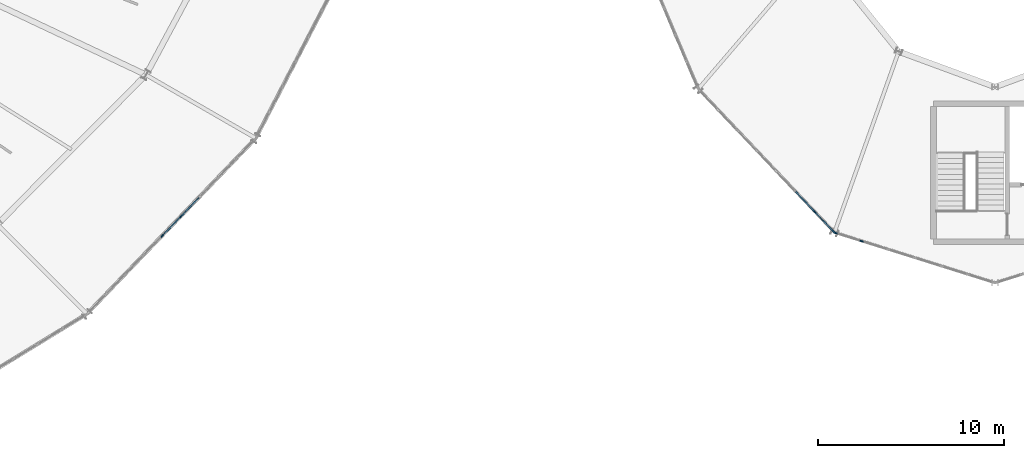
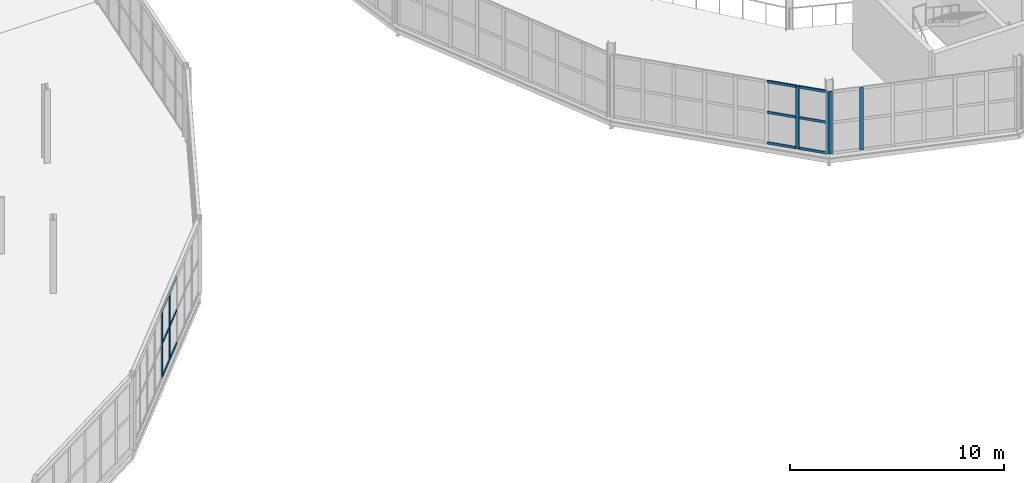
# One storey, part 74 of 161: 18 members, 3 elements without a shape of their own.
"""IFC4 building model written with IfcOpenShell, lengths in metres."""

import ifcopenshell
import ifcopenshell.guid

model = None  # the IFC model being written
_history = None  # IfcOwnerHistory: only IFC2X3 demands one
_inside = {}  # id of a spatial element -> (the spatial element, [elements in it])
_under = {}  # id of a project, library or spatial element -> (it, [spatial elements below it])
_declared = {}  # id of a project -> (the project, [libraries it declares])
_typed = {}  # id of a type object -> (the type object, [elements of that type])
_made_of = {}  # id of a material, layer set ... -> (it, [elements and type objects made of it])


def new_model(schema):
    """Start an empty IFC model of exactly this schema.

    Asked for "IFC4X3", IfcOpenShell would pick the latest addendum, in which some entities
    have other attributes; the version numbers below select the first issue.
    IFC2X3 requires an IfcOwnerHistory on every rooted entity: one is made here for all.
    """
    global model, _history
    if schema == "IFC4X3":
        model = ifcopenshell.file(schema_version=(4, 3, 0, 0))
    else:
        model = ifcopenshell.file(schema=schema)
    _inside.clear()
    _under.clear()
    _declared.clear()
    _typed.clear()
    _made_of.clear()
    _history = None
    if model.schema == "IFC2X3":
        org = make("IfcOrganization", Name="unknown")
        user = make(
            "IfcPersonAndOrganization",
            ThePerson=make("IfcPerson", FamilyName="unknown"),
            TheOrganization=org,
        )
        app = make(
            "IfcApplication",
            ApplicationDeveloper=org,
            Version="unknown",
            ApplicationFullName="unknown",
            ApplicationIdentifier="unknown",
        )
        _history = make(
            "IfcOwnerHistory",
            OwningUser=user,
            OwningApplication=app,
            ChangeAction="ADDED",
            CreationDate=0,
        )
    return model


def make(cls, **values):
    """One entity of the class cls with the attributes given. An attribute that is None is left unset."""
    return model.create_entity(
        cls, **{name: value for name, value in values.items() if value is not None}
    )


def rooted(cls, **values):
    """An entity with a GlobalId (a new one), such as an element, a storey or a relation."""
    return make(cls, GlobalId=ifcopenshell.guid.new(), OwnerHistory=_history, **values)


def si_unit(unit_type, name, prefix=None):
    """IfcSIUnit, for example si_unit("LENGTHUNIT", "METRE", prefix="MILLI")."""
    return make("IfcSIUnit", UnitType=unit_type, Prefix=prefix, Name=name)


def assignment(units):
    """IfcUnitAssignment: the units of a project."""
    return None if units is None else make("IfcUnitAssignment", Units=units)


def point(xyz):
    """IfcCartesianPoint."""
    return None if xyz is None else make("IfcCartesianPoint", Coordinates=xyz)


def direction(xyz):
    """IfcDirection."""
    return None if xyz is None else make("IfcDirection", DirectionRatios=xyz)


def frame(location, z_axis=None, x_axis=None):
    """IfcAxis2Placement3D, a coordinate frame: its origin and axes. An axis left out is left unset."""
    return make(
        "IfcAxis2Placement3D",
        Location=point(location),
        Axis=direction(z_axis),
        RefDirection=direction(x_axis),
    )


def frame_2d(location, x_axis=None):
    """IfcAxis2Placement2D, a coordinate frame in the plane: its origin and x axis."""
    return make(
        "IfcAxis2Placement2D", Location=point(location), RefDirection=direction(x_axis)
    )


def origin():
    """The frame at (0, 0, 0) with its axes left unset."""
    return frame((0.0, 0.0, 0.0))


def origin_2d():
    """The frame at (0, 0) in the plane with its x axis left unset."""
    return frame_2d((0.0, 0.0))


def place(relative_to, where):
    """IfcLocalPlacement: puts the frame where relative to a parent placement (None: the world)."""
    return make(
        "IfcLocalPlacement", PlacementRelTo=relative_to, RelativePlacement=where
    )


def context(
    kind, dimensions, precision=None, world=None, true_north=None, identifier=None
):
    """IfcGeometricRepresentationContext, for example the 3D "Model" context."""
    return make(
        "IfcGeometricRepresentationContext",
        ContextIdentifier=identifier,
        ContextType=kind,
        CoordinateSpaceDimension=dimensions,
        Precision=precision,
        WorldCoordinateSystem=world,
        TrueNorth=true_north,
    )


def subcontext(parent, identifier, kind, view, scale=None):
    """IfcGeometricRepresentationSubContext, for example "Body" below "Model"."""
    return make(
        "IfcGeometricRepresentationSubContext",
        ContextIdentifier=identifier,
        ContextType=kind,
        ParentContext=parent,
        TargetScale=scale,
        TargetView=view,
    )


def project(units=None, contexts=None):
    """IfcProject with its units and contexts."""
    return rooted(
        "IfcProject",
        Name="project",
        RepresentationContexts=contexts,
        UnitsInContext=assignment(units),
    )


def spatial(cls, under=None, at=None, **own):
    """A site, building, storey or space (cls), placed at a placement, below another one or the project."""
    s = rooted(cls, ObjectPlacement=at, **own)
    if under is not None:
        _under.setdefault(under.id(), (under, []))[1].append(s)
    return s


def profile(cls, at=None, kind="AREA", **sizes):
    """A parametric profile (cls). Its sizes go by their IFC names, for example OverallWidth=200.0."""
    return make(cls, ProfileType=kind, Position=at, **sizes)


def rectangle(**sizes):
    """IfcRectangleProfileDef."""
    return profile("IfcRectangleProfileDef", **sizes)


def extrude(swept, where, along, depth):
    """IfcExtrudedAreaSolid: the profile swept, set in the frame where, extruded along a direction by depth."""
    return make(
        "IfcExtrudedAreaSolid",
        SweptArea=swept,
        Position=where,
        ExtrudedDirection=direction(along),
        Depth=depth,
    )


def shape(context_of_items, identifier, shape_type, items):
    """IfcShapeRepresentation: the items that make up one representation, for example the "Body"."""
    return make(
        "IfcShapeRepresentation",
        ContextOfItems=context_of_items,
        RepresentationIdentifier=identifier,
        RepresentationType=shape_type,
        Items=items,
    )


def material(Name=None, Category=None):
    """IfcMaterial."""
    return make("IfcMaterial", Name=Name, Category=Category)


def material_profile(
    of_material, cross_section, Name=None, Category=None, Priority=None
):
    """IfcMaterialProfile: a cross section and its material."""
    return make(
        "IfcMaterialProfile",
        Name=Name,
        Material=of_material,
        Profile=cross_section,
        Priority=Priority,
        Category=Category,
    )


def profile_set(profiles, Name=None, composite=None):
    """IfcMaterialProfileSet."""
    return make(
        "IfcMaterialProfileSet",
        Name=Name,
        MaterialProfiles=profiles,
        CompositeProfile=composite,
    )


def made_of(thing, what):
    """Note that an element or type object is made of a material, layer set ...; save() writes the relation."""
    if what is not None:
        _made_of.setdefault(what.id(), (what, []))[1].append(thing)
    return thing


def type_object(cls, material=None, **own):
    """A type object (cls), such as IfcWallType, which elements share."""
    return made_of(rooted(cls, **own), material)


def element(
    cls,
    number,
    at=None,
    inside=None,
    cuts=None,
    type_object=None,
    material=None,
    context=None,
    identifier="Body",
    shape_type=None,
    held_by="IfcProductDefinitionShape",
    body=None,
    shapes=None,
    **own,
):
    """One element of the class cls, such as IfcWall. Its Tag is "e" and its number.

    at: its placement. inside: the storey or other place that contains it. cuts: it is an
    opening in that element (IfcRelVoidsElement). A single representation is given by context,
    identifier, shape_type and body (its items); several are given by shapes. held_by: the class
    of the entity that holds the representations. save() writes the other relations.
    """
    e = rooted(cls, Tag="e%d" % number, ObjectPlacement=at, **own)
    if body is not None:
        shapes = [shape(context, identifier, shape_type, body)]
    if shapes is not None:
        e.Representation = make(held_by, Representations=shapes)
    if inside is not None:
        _inside.setdefault(inside.id(), (inside, []))[1].append(e)
    if cuts is not None:
        rooted(
            "IfcRelVoidsElement", RelatingBuildingElement=cuts, RelatedOpeningElement=e
        )
    if type_object is not None:
        _typed.setdefault(type_object.id(), (type_object, []))[1].append(e)
    return made_of(e, material)


def aggregate(whole, parts):
    """IfcRelAggregates: a whole, such as a stair, and the parts it consists of."""
    return rooted("IfcRelAggregates", RelatingObject=whole, RelatedObjects=parts)


def save(model, path):
    """Write the relations noted so far, then the file.

    IfcRelAggregates (storeys below a building ...), IfcRelContainedInSpatialStructure (elements
    in a storey), IfcRelDefinesByType, IfcRelAssociatesMaterial and IfcRelDeclares: one each for
    every whole, place, type object, material and project.
    """
    for whole, parts in _under.values():
        aggregate(whole, parts)
    for where, things in _inside.values():
        rooted(
            "IfcRelContainedInSpatialStructure",
            RelatedElements=things,
            RelatingStructure=where,
        )
    for kind, things in _typed.values():
        rooted("IfcRelDefinesByType", RelatedObjects=things, RelatingType=kind)
    for what, things in _made_of.values():
        rooted("IfcRelAssociatesMaterial", RelatedObjects=things, RelatingMaterial=what)
    for by, libraries in _declared.values():
        rooted("IfcRelDeclares", RelatingContext=by, RelatedDefinitions=libraries)
    model.write(path)


model = new_model("IFC4")

# Units and contexts
model_context = context("Model", 3, precision=1e-05, world=origin(), true_north=direction((0.0, 1.0)))
body_context = subcontext(model_context, "Body", "Model", "MODEL_VIEW")
ifc_project = project(units=[si_unit("LENGTHUNIT", "METRE"), si_unit("AREAUNIT", "SQUARE_METRE"), si_unit("VOLUMEUNIT", "CUBIC_METRE"), si_unit("PLANEANGLEUNIT", "RADIAN"), si_unit("MASSUNIT", "GRAM", prefix="KILO")], contexts=[model_context])

# Site, building, storey
site_placement = place(None, origin())
site = spatial("IfcSite", under=ifc_project, at=site_placement, CompositionType="ELEMENT")
building_placement = place(site_placement, origin())
building = spatial("IfcBuilding", under=site, at=building_placement, Name="Kildeholm Park Wholesale Market", CompositionType="ELEMENT")
storey_placement = place(building_placement, frame((0.0, 0.0, 5.39990234375)))
storey = spatial("IfcBuildingStorey", under=building, at=storey_placement, Name="L01", CompositionType="ELEMENT", Elevation=5.39990234375)

# Curtain wall, members
ifc_material_1 = material(Name="Anodised aluminium and low-E double-glazed glass", Category="aluminium")
curtain_wall_type = type_object("IfcCurtainWallType", Name="Market hall glazed arcade stick curtain wall CW-01", PredefinedType="NOTDEFINED", material=ifc_material_1)
curtain_wall_1_placement = place(storey_placement, origin())
curtain_wall_1 = element("IfcCurtainWall", 1, at=curtain_wall_1_placement, inside=storey, type_object=curtain_wall_type, Name="Curtain wall CW-V1-OT-21-1 CW-0104", PredefinedType="NOTDEFINED")
ifc_material_2 = material(Name="Anodised aluminium", Category="aluminium")
ifc_material_profile_1 = material_profile(ifc_material_2, rectangle(XDim=0.06494140625, YDim=0.179931640625, at=origin_2d()), Name="CWM 65x180")
ifc_profile_set_1 = profile_set([ifc_material_profile_1], Name="Anodised aluminium")
member_type_1 = type_object("IfcMemberType", Name="Curtain-wall mullion CWM-1 CWM 65x180", PredefinedType="MULLION", material=ifc_profile_set_1)
member_1_placement = place(storey_placement, frame((143.3388671875, 61.5146484375, 0.0), z_axis=(0.0, 0.0, 1.0), x_axis=(-0.720901097951, 0.69303795493, 0.0)))
member_1 = element("IfcMember", 2, at=member_1_placement, type_object=member_type_1, Name="CW-01 mullion 5 MEM-3273", PredefinedType="MULLION", context=body_context, shape_type="SweptSolid", body=[
    extrude(rectangle(XDim=0.06494140625, YDim=0.179931640625, at=origin_2d()), origin(), (0.0, 0.0, 1.0), 3.800048828125),
])
member_2_placement = place(storey_placement, frame((144.339111328125, 62.555419921875, 0.0), z_axis=(0.0, 0.0, 1.0), x_axis=(-0.720901097951, 0.69303795493, 0.0)))
member_2 = element("IfcMember", 3, at=member_2_placement, type_object=member_type_1, Name="CW-01 mullion 6 MEM-3274", PredefinedType="MULLION", context=body_context, shape_type="SweptSolid", body=[
    extrude(rectangle(XDim=0.06494140625, YDim=0.179931640625, at=origin_2d()), origin(), (0.0, 0.0, 1.0), 3.800048828125),
])

curtain_wall_2_placement = place(storey_placement, origin())
curtain_wall_2 = element("IfcCurtainWall", 4, at=curtain_wall_2_placement, inside=storey, type_object=curtain_wall_type, Name="Curtain wall CW-V2-L01-10 CW-0129", PredefinedType="NOTDEFINED")
member_3_placement = place(storey_placement, frame((178.323974609375, 62.813232421875, 0.0), z_axis=(0.0, 0.0, 1.0), x_axis=(0.725570701078, 0.688147627866, 0.0)))
member_3 = element("IfcMember", 5, at=member_3_placement, type_object=member_type_1, Name="CW-01 mullion 7 MEM-3972", PredefinedType="MULLION", context=body_context, shape_type="SweptSolid", body=[
    extrude(rectangle(XDim=0.06494140625, YDim=0.179931640625, at=origin_2d()), origin(), (0.0, 0.0, 1.0), 3.550048828125),
])
member_4_placement = place(storey_placement, frame((179.336669921875, 61.74560546875, 0.0), z_axis=(0.0, 0.0, 1.0), x_axis=(0.725570701078, 0.688147627866, 0.0)))
member_4 = element("IfcMember", 6, at=member_4_placement, type_object=member_type_1, Name="CW-01 mullion 8 MEM-3973", PredefinedType="MULLION", context=body_context, shape_type="SweptSolid", body=[
    extrude(rectangle(XDim=0.06494140625, YDim=0.179931640625, at=origin_2d()), origin(), (0.0, 0.0, 1.0), 3.550048828125),
])

curtain_wall_3_placement = place(storey_placement, origin())
curtain_wall_3 = element("IfcCurtainWall", 7, at=curtain_wall_3_placement, inside=storey, type_object=curtain_wall_type, Name="Curtain wall CW-V2-L01-11 CW-0130", PredefinedType="NOTDEFINED")
member_5_placement = place(storey_placement, frame((179.45703125, 61.669189453125, 0.0), z_axis=(0.0, 0.0, 1.0), x_axis=(0.29947776095, 0.954103280938, 0.0)))
member_5 = element("IfcMember", 8, at=member_5_placement, type_object=member_type_1, Name="CW-01 mullion 1 MEM-3995", PredefinedType="MULLION", context=body_context, shape_type="SweptSolid", body=[
    extrude(rectangle(XDim=0.06494140625, YDim=0.179931640625, at=origin_2d()), origin(), (0.0, 0.0, 1.0), 3.550048828125),
])
member_6_placement = place(storey_placement, frame((180.848388671875, 61.232421875, 0.0), z_axis=(0.0, 0.0, 1.0), x_axis=(0.29947776095, 0.954103280938, 0.0)))
member_6 = element("IfcMember", 9, at=member_6_placement, type_object=member_type_1, Name="CW-01 mullion 2 MEM-3996", PredefinedType="MULLION", context=body_context, shape_type="SweptSolid", body=[
    extrude(rectangle(XDim=0.06494140625, YDim=0.179931640625, at=origin_2d()), origin(), (0.0, 0.0, 1.0), 3.550048828125),
])
aggregate(curtain_wall_3, [member_5, member_6])

# Member
ifc_material_profile_2 = material_profile(ifc_material_2, rectangle(XDim=0.06494140625, YDim=0.139892578125, at=origin_2d()), Name="CWT 65x140")
ifc_profile_set_2 = profile_set([ifc_material_profile_2], Name="Anodised aluminium")
member_type_2 = type_object("IfcMemberType", Name="Curtain-wall transom CWT-1 CWT 65x140", PredefinedType="USERDEFINED", material=ifc_profile_set_2)
member_7_placement = place(storey_placement, frame((143.361328125, 61.5380859375, 0.03271484375), z_axis=(0.692977754297, 0.720958966967, 0.0), x_axis=(-0.720958966967, 0.692977754297, 0.0)))
member_7 = element("IfcMember", 10, at=member_7_placement, type_object=member_type_2, Name="CW-01 transom 5.1 MEM-3291", ObjectType="TRANSOM", PredefinedType="USERDEFINED", context=body_context, shape_type="SweptSolid", body=[
    extrude(rectangle(XDim=0.06494140625, YDim=0.139892578125, at=origin_2d()), origin(), (0.0, 0.0, 1.0), 1.378662109375),
])

member_8_placement = place(storey_placement, frame((143.361328125, 61.5380859375, 1.900146484375), z_axis=(0.692977754297, 0.720958966967, 0.0), x_axis=(-0.720958966967, 0.692977754297, 0.0)))
member_8 = element("IfcMember", 11, at=member_8_placement, type_object=member_type_2, Name="CW-01 transom 5.2 MEM-3292", ObjectType="TRANSOM", PredefinedType="USERDEFINED", context=body_context, shape_type="SweptSolid", body=[
    extrude(rectangle(XDim=0.06494140625, YDim=0.139892578125, at=origin_2d()), origin(), (0.0, 0.0, 1.0), 1.378662109375),
])

member_9_placement = place(storey_placement, frame((143.361328125, 61.5380859375, 3.767578125), z_axis=(0.692977754297, 0.720958966967, 0.0), x_axis=(-0.720958966967, 0.692977754297, 0.0)))
member_9 = element("IfcMember", 12, at=member_9_placement, type_object=member_type_2, Name="CW-01 transom 5.3 MEM-3293", ObjectType="TRANSOM", PredefinedType="USERDEFINED", context=body_context, shape_type="SweptSolid", body=[
    extrude(rectangle(XDim=0.06494140625, YDim=0.139892578125, at=origin_2d()), origin(), (0.0, 0.0, 1.0), 1.378662109375),
])

member_10_placement = place(storey_placement, frame((144.36181640625, 62.578857421875, 0.03271484375), z_axis=(0.693066239187, 0.720873905825, 0.0), x_axis=(-0.720873905825, 0.693066239187, 0.0)))
member_10 = element("IfcMember", 13, at=member_10_placement, type_object=member_type_2, Name="CW-01 transom 6.1 MEM-3294", ObjectType="TRANSOM", PredefinedType="USERDEFINED", context=body_context, shape_type="SweptSolid", body=[
    extrude(rectangle(XDim=0.06494140625, YDim=0.139892578125, at=origin_2d()), origin(), (0.0, 0.0, 1.0), 1.37841796875),
])

member_11_placement = place(storey_placement, frame((144.36181640625, 62.578857421875, 1.900146484375), z_axis=(0.693066239187, 0.720873905825, 0.0), x_axis=(-0.720873905825, 0.693066239187, 0.0)))
member_11 = element("IfcMember", 14, at=member_11_placement, type_object=member_type_2, Name="CW-01 transom 6.2 MEM-3295", ObjectType="TRANSOM", PredefinedType="USERDEFINED", context=body_context, shape_type="SweptSolid", body=[
    extrude(rectangle(XDim=0.06494140625, YDim=0.139892578125, at=origin_2d()), origin(), (0.0, 0.0, 1.0), 1.37841796875),
])

member_12_placement = place(storey_placement, frame((144.36181640625, 62.578857421875, 3.767578125), z_axis=(0.693066239187, 0.720873905825, 0.0), x_axis=(-0.720873905825, 0.693066239187, 0.0)))
member_12 = element("IfcMember", 15, at=member_12_placement, type_object=member_type_2, Name="CW-01 transom 6.3 MEM-3296", ObjectType="TRANSOM", PredefinedType="USERDEFINED", context=body_context, shape_type="SweptSolid", body=[
    extrude(rectangle(XDim=0.06494140625, YDim=0.139892578125, at=origin_2d()), origin(), (0.0, 0.0, 1.0), 1.37841796875),
])

aggregate(curtain_wall_1, [member_1, member_2, member_7, member_8, member_9, member_10, member_11, member_12])

member_13_placement = place(storey_placement, frame((177.311279296875, 63.881103515625, 0.03271484375), z_axis=(0.688111604376, -0.72560486487, 0.0), x_axis=(0.72560486487, 0.688111604376, 0.0)))
member_13 = element("IfcMember", 16, at=member_13_placement, type_object=member_type_2, Name="CW-01 transom 6.1 MEM-3989", ObjectType="TRANSOM", PredefinedType="USERDEFINED", context=body_context, shape_type="SweptSolid", body=[
    extrude(rectangle(XDim=0.06494140625, YDim=0.139892578125, at=origin_2d()), origin(), (0.0, 0.0, 1.0), 1.43896484375),
])

member_14_placement = place(storey_placement, frame((177.311279296875, 63.881103515625, 1.775146484375), z_axis=(0.688111604376, -0.72560486487, 0.0), x_axis=(0.72560486487, 0.688111604376, 0.0)))
member_14 = element("IfcMember", 17, at=member_14_placement, type_object=member_type_2, Name="CW-01 transom 6.2 MEM-3990", ObjectType="TRANSOM", PredefinedType="USERDEFINED", context=body_context, shape_type="SweptSolid", body=[
    extrude(rectangle(XDim=0.06494140625, YDim=0.139892578125, at=origin_2d()), origin(), (0.0, 0.0, 1.0), 1.43896484375),
])

member_15_placement = place(storey_placement, frame((177.311279296875, 63.881103515625, 3.517578125), z_axis=(0.688111604376, -0.72560486487, 0.0), x_axis=(0.72560486487, 0.688111604376, 0.0)))
member_15 = element("IfcMember", 18, at=member_15_placement, type_object=member_type_2, Name="CW-01 transom 6.3 MEM-3991", ObjectType="TRANSOM", PredefinedType="USERDEFINED", context=body_context, shape_type="SweptSolid", body=[
    extrude(rectangle(XDim=0.06494140625, YDim=0.139892578125, at=origin_2d()), origin(), (0.0, 0.0, 1.0), 1.43896484375),
])

member_16_placement = place(storey_placement, frame((178.346435546875, 62.789794921875, 0.03271484375), z_axis=(0.688023826251, -0.725688097264, 0.0), x_axis=(0.725688097264, 0.688023826251, 0.0)))
member_16 = element("IfcMember", 19, at=member_16_placement, type_object=member_type_2, Name="CW-01 transom 7.1 MEM-3992", ObjectType="TRANSOM", PredefinedType="USERDEFINED", context=body_context, shape_type="SweptSolid", body=[
    extrude(rectangle(XDim=0.06494140625, YDim=0.139892578125, at=origin_2d()), origin(), (0.0, 0.0, 1.0), 1.406494140625),
])

member_17_placement = place(storey_placement, frame((178.346435546875, 62.789794921875, 1.775146484375), z_axis=(0.688023826251, -0.725688097264, 0.0), x_axis=(0.725688097264, 0.688023826251, 0.0)))
member_17 = element("IfcMember", 20, at=member_17_placement, type_object=member_type_2, Name="CW-01 transom 7.2 MEM-3993", ObjectType="TRANSOM", PredefinedType="USERDEFINED", context=body_context, shape_type="SweptSolid", body=[
    extrude(rectangle(XDim=0.06494140625, YDim=0.139892578125, at=origin_2d()), origin(), (0.0, 0.0, 1.0), 1.406494140625),
])

member_18_placement = place(storey_placement, frame((178.346435546875, 62.789794921875, 3.517578125), z_axis=(0.688023826251, -0.725688097264, 0.0), x_axis=(0.725688097264, 0.688023826251, 0.0)))
member_18 = element("IfcMember", 21, at=member_18_placement, type_object=member_type_2, Name="CW-01 transom 7.3 MEM-3994", ObjectType="TRANSOM", PredefinedType="USERDEFINED", context=body_context, shape_type="SweptSolid", body=[
    extrude(rectangle(XDim=0.06494140625, YDim=0.139892578125, at=origin_2d()), origin(), (0.0, 0.0, 1.0), 1.406494140625),
])

aggregate(curtain_wall_2, [member_3, member_4, member_13, member_14, member_15, member_16, member_17, member_18])

save(model, "model.ifc")
